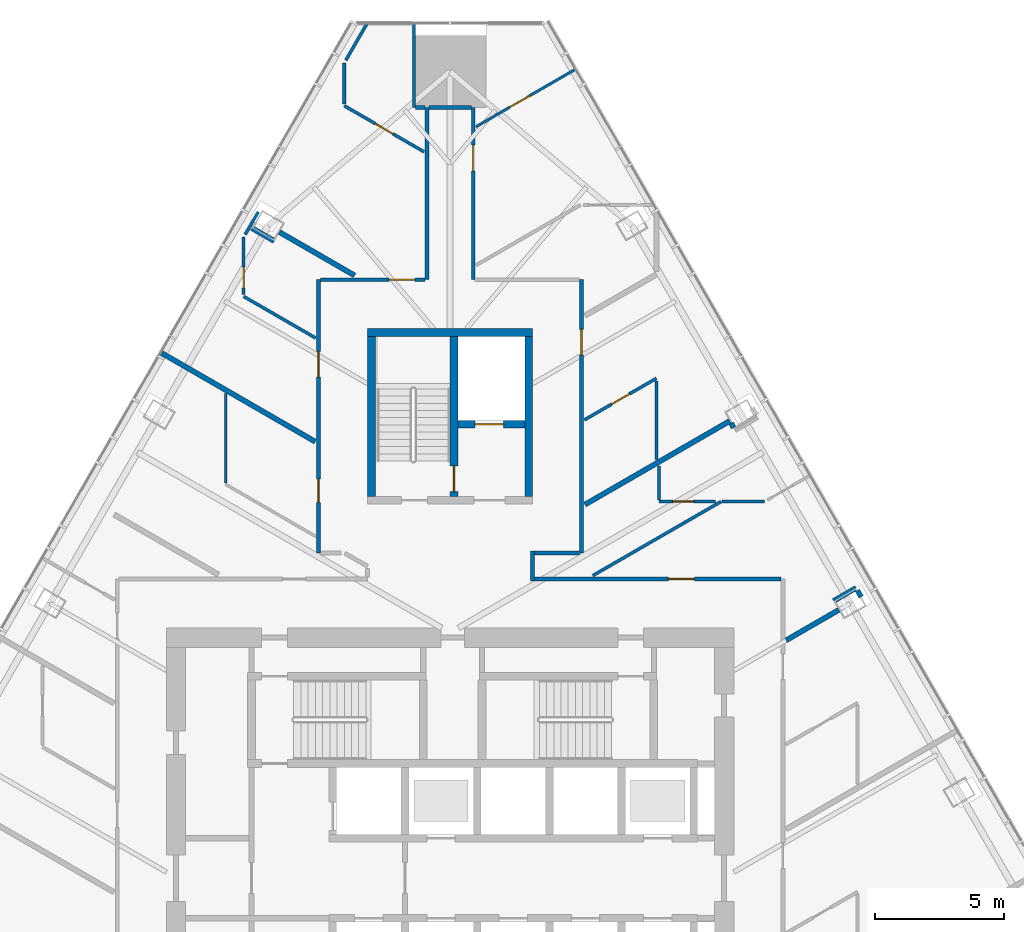
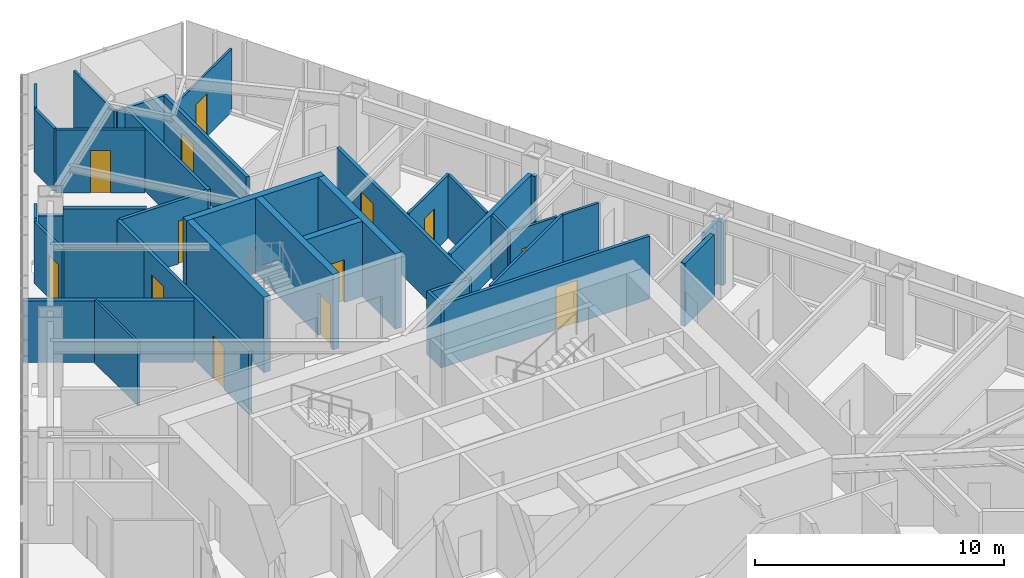
# One storey, part 16 of 19: 38 walls, 13 doors, 13 openings.
"""IFC4 building model written with IfcOpenShell, lengths in metres."""

from ifc_helpers import new_model, si_unit, direction, frame, frame_2d, origin, place, context, subcontext, project, spatial, rectangle, extrude, material, layer, layer_set, type_object, element, fill, save


model = new_model("IFC4")

# Units and contexts
model_context = context("Model", 3, precision=1e-05, world=origin(), true_north=direction((0.0, 1.0)))
body_context = subcontext(model_context, "Body", "Model", "MODEL_VIEW")
ifc_project = project(units=[si_unit("LENGTHUNIT", "METRE"), si_unit("AREAUNIT", "SQUARE_METRE"), si_unit("VOLUMEUNIT", "CUBIC_METRE"), si_unit("PLANEANGLEUNIT", "RADIAN"), si_unit("MASSUNIT", "GRAM", prefix="KILO")], contexts=[model_context])

# Site, building, storey
site_placement = place(None, origin())
site = spatial("IfcSite", under=ifc_project, at=site_placement, CompositionType="ELEMENT")
building_placement = place(site_placement, origin())
building = spatial("IfcBuilding", under=site, at=building_placement, Name="Firuza Gate Tower and Library", CompositionType="ELEMENT")
storey_placement = place(building_placement, frame((0.0, 0.0, 210.39990234375)))
storey = spatial("IfcBuildingStorey", under=building, at=storey_placement, Name="L49", CompositionType="ELEMENT", Elevation=210.39990234375)

# Walls
ifc_material_1 = material(Name="Concrete C80/95", Category="concrete")
ifc_layer_1 = layer(ifc_material_1, 0.300048828125)
ifc_layer_set_1 = layer_set([ifc_layer_1], Name="Core wall 300 C80/95")
wall_type_1 = type_object("IfcWallType", Name="Core wall 300 C80/95", PredefinedType="SHEAR", material=ifc_layer_set_1)
wall_1_placement = place(storey_placement, frame((71.800048828125, 94.449951171875, 0.0), z_axis=(0.0, 0.0, 1.0), x_axis=(1.0, 0.0, 0.0)))
element("IfcWall", 1, at=wall_1_placement, inside=storey, type_object=wall_type_1, Name="Core wall L49 28", PredefinedType="SHEAR", context=body_context, shape_type="SweptSolid", body=[
    extrude(rectangle(XDim=6.39990234375, YDim=0.300048828125, at=frame_2d((3.199951171875, 0.0))), origin(), (0.0, 0.0, 1.0), 3.7001953125),
])
for number, where, z_axis, x_axis, name in (
    (2, (71.949951171875, 88.10009765625, 0.0), (0.0, 0.0, 1.0), (0.0, 1.0, 0.0), "Core wall L49 29"),
    (3, (78.050048828125, 88.10009765625, 0.0), (0.0, 0.0, 1.0), (0.0, 1.0, 0.0), "Core wall L49 30"),
):
    element("IfcWall", number, at=place(storey_placement, frame(where, z_axis=z_axis, x_axis=x_axis)), inside=storey, type_object=wall_type_1, Name=name, PredefinedType="SHEAR", context=body_context, shape_type="SweptSolid", body=[
        extrude(rectangle(XDim=6.199951171875, YDim=0.300048828125, at=frame_2d((3.10009765625, 0.0))), origin(), (0.0, 0.0, 1.0), 3.7001953125),
    ])

# Wall, opening, door
wall_2_placement = place(storey_placement, frame((75.300048828125, 90.89990234375, 0.0), z_axis=(0.0, 0.0, 1.0), x_axis=(1.0, 0.0, 0.0)))
wall_2 = element("IfcWall", 4, at=wall_2_placement, inside=storey, type_object=wall_type_1, Name="Core wall L49 31", PredefinedType="SHEAR", context=body_context, shape_type="SweptSolid", body=[
    extrude(rectangle(XDim=2.599853515625, YDim=0.300048828125, at=frame_2d((1.2998046875, 0.0))), origin(), (0.0, 0.0, 1.0), 3.7001953125),
])
opening_1_placement = place(wall_2_placement, frame((0.675048828125, 0.0, 0.0)))
opening_1 = element("IfcOpeningElement", 5, at=opening_1_placement, cuts=wall_2, Name="Opening LD-SV1-L49", PredefinedType="OPENING", context=body_context, shape_type="SweptSolid", body=[
    extrude(rectangle(XDim=1.10009765625, YDim=2.10009765625, at=frame_2d((0.550048828125, 1.050048828125))), frame((0.0, 0.16015625, 0.0), z_axis=(0.0, -1.0, 0.0), x_axis=(1.0, 0.0, 0.0)), (0.0, 0.0, 1.0), 0.320068359375),
])
ifc_material_2 = material(Name="Stainless steel", Category="steel")
door_type_1 = type_object("IfcDoorType", Name="Lift landing door 1100x2100", OperationType="DOUBLE_DOOR_SLIDING", PredefinedType="DOOR", material=ifc_material_2)
door_1_placement = place(opening_1_placement, origin())
door_1 = element("IfcDoor", 6, at=door_1_placement, inside=storey, type_object=door_type_1, Name="Landing door SV1 L49", OperationType="DOUBLE_DOOR_SLIDING", OverallHeight=2.10009765625, OverallWidth=1.10009765625, PredefinedType="DOOR", context=body_context, shape_type="SweptSolid", body=[
    extrude(rectangle(XDim=1.10009765625, YDim=2.10009765625, at=frame_2d((0.550048828125, 1.050048828125))), frame((0.0, 0.02490234375, 0.0), z_axis=(0.0, -1.0, 0.0), x_axis=(1.0, 0.0, 0.0)), (0.0, 0.0, 1.0), 0.050048828125),
])
fill(opening_1, door_1)

wall_3_placement = place(storey_placement, frame((75.14990234375, 88.10009765625, 0.0), z_axis=(0.0, 0.0, 1.0), x_axis=(0.0, 1.0, 0.0)))
wall_3 = element("IfcWall", 7, at=wall_3_placement, inside=storey, type_object=wall_type_1, Name="Core wall L49 32", PredefinedType="SHEAR", context=body_context, shape_type="SweptSolid", body=[
    extrude(rectangle(XDim=6.199951171875, YDim=0.300048828125, at=frame_2d((3.10009765625, 0.0))), origin(), (0.0, 0.0, 1.0), 3.7001953125),
])
opening_2_placement = place(wall_3_placement, frame((0.18505859375, 0.0, 0.0)))
opening_2 = element("IfcOpeningElement", 8, at=opening_2_placement, cuts=wall_3, Name="Opening L49-K16", PredefinedType="OPENING", context=body_context, shape_type="SweptSolid", body=[
    extrude(rectangle(XDim=1.0, YDim=2.10009765625, at=frame_2d((0.5, 1.050048828125))), frame((0.0, 0.16015625, 0.0), z_axis=(0.0, -1.0, 0.0), x_axis=(1.0, 0.0, 0.0)), (0.0, 0.0, 1.0), 0.320068359375),
])
ifc_material_3 = material(Name="Steel", Category="steel")
door_type_2 = type_object("IfcDoorType", Name="Fire door 1000x2100 FD90", OperationType="NOTDEFINED", PredefinedType="DOOR", material=ifc_material_3)
door_2_placement = place(opening_2_placement, origin())
door_2 = element("IfcDoor", 9, at=door_2_placement, inside=storey, type_object=door_type_2, Name="Door L49-K16", OperationType="SINGLE_SWING_LEFT", OverallHeight=2.10009765625, OverallWidth=1.0, PredefinedType="DOOR", context=body_context, shape_type="SweptSolid", body=[
    extrude(rectangle(XDim=1.0, YDim=2.10009765625, at=frame_2d((0.5, 1.050048828125))), frame((0.0, 0.02490234375, 0.0), z_axis=(0.0, -1.0, 0.0), x_axis=(1.0, 0.0, 0.0)), (0.0, 0.0, 1.0), 0.050048828125),
])
fill(opening_2, door_2)

ifc_material_4 = material(Name="Gypsum board partition")
ifc_layer_2 = layer(ifc_material_4, 0.14990234375)
ifc_layer_set_2 = layer_set([ifc_layer_2], Name="Corridor wall 150 double board on steel studs")
wall_type_2 = type_object("IfcWallType", Name="Corridor wall 150 double board on steel studs", PredefinedType="PARTITIONING", material=ifc_layer_set_2)
wall_4_placement = place(storey_placement, frame((78.27490234375, 84.89990234375, 0.0), z_axis=(0.0, 0.0, 1.0), x_axis=(1.0, 0.0, 0.0)))
wall_4 = element("IfcWall", 10, at=wall_4_placement, inside=storey, type_object=wall_type_2, Name="f:L49:w010", PredefinedType="PARTITIONING", context=body_context, shape_type="SweptSolid", body=[
    extrude(rectangle(XDim=9.550048828125, YDim=0.14990234375, at=frame_2d((4.77490234375, 0.0))), origin(), (0.0, 0.0, 1.0), 3.09716796875),
])
opening_3_placement = place(wall_4_placement, frame((5.190673828125, 0.0, 0.0)))
opening_3 = element("IfcOpeningElement", 11, at=opening_3_placement, cuts=wall_4, Name="Opening L49-12", PredefinedType="OPENING", context=body_context, shape_type="SweptSolid", body=[
    extrude(rectangle(XDim=1.0, YDim=2.10009765625, at=frame_2d((0.5, 1.050048828125))), frame((0.0, 0.0849609375, 0.0), z_axis=(0.0, -1.0, 0.0), x_axis=(1.0, 0.0, 0.0)), (0.0, 0.0, 1.0), 0.169921875),
])
ifc_material_5 = material(Name="Steel door and timber leaf", Category="steel")
door_type_3 = type_object("IfcDoorType", Name="Fire door 1000 x 2100 steel frame, timber leaf", OperationType="NOTDEFINED", PredefinedType="DOOR", material=ifc_material_5)
door_3_placement = place(opening_3_placement, origin())
door_3 = element("IfcDoor", 12, at=door_3_placement, inside=storey, type_object=door_type_3, Name="f:L49:d012", OperationType="SINGLE_SWING_RIGHT", OverallHeight=2.10009765625, OverallWidth=1.0, PredefinedType="DOOR", context=body_context, shape_type="SweptSolid", body=[
    extrude(rectangle(XDim=1.0, YDim=2.10009765625, at=frame_2d((0.5, 1.050048828125))), frame((0.0, 0.02490234375, 0.0), z_axis=(0.0, -1.0, 0.0), x_axis=(1.0, 0.0, 0.0)), (0.0, 0.0, 1.0), 0.050048828125),
])
fill(opening_3, door_3)

# Wall
wall_5_placement = place(storey_placement, frame((78.27490234375, 85.89990234375, 0.0), z_axis=(0.0, 0.0, 1.0), x_axis=(1.0, 0.0, 0.0)))
element("IfcWall", 13, at=wall_5_placement, inside=storey, type_object=wall_type_2, Name="f:L49:w012", PredefinedType="PARTITIONING", context=body_context, shape_type="SweptSolid", body=[
    extrude(rectangle(XDim=1.75, YDim=0.14990234375, at=frame_2d((0.875, 0.0))), origin(), (0.0, 0.0, 1.0), 3.09716796875),
])

# Wall, opening, door
wall_6_placement = place(storey_placement, frame((69.97509765625, 96.5, 0.0), z_axis=(0.0, 0.0, 1.0), x_axis=(1.0, 0.0, 0.0)))
wall_6 = element("IfcWall", 14, at=wall_6_placement, inside=storey, type_object=wall_type_2, Name="f:L49:w014", PredefinedType="PARTITIONING", context=body_context, shape_type="SweptSolid", body=[
    extrude(rectangle(XDim=4.0498046875, YDim=0.14990234375, at=frame_2d((2.02490234375, 0.0))), origin(), (0.0, 0.0, 1.0), 3.10009765625),
])
opening_4_placement = place(wall_6_placement, frame((2.662841796875, 0.0, 0.0)))
opening_4 = element("IfcOpeningElement", 15, at=opening_4_placement, cuts=wall_6, Name="Opening L49-14", PredefinedType="OPENING", context=body_context, shape_type="SweptSolid", body=[
    extrude(rectangle(XDim=1.0, YDim=2.10009765625, at=frame_2d((0.5, 1.050048828125))), frame((0.0, 0.0849609375, 0.0), z_axis=(0.0, -1.0, 0.0), x_axis=(1.0, 0.0, 0.0)), (0.0, 0.0, 1.0), 0.169921875),
])
door_4_placement = place(opening_4_placement, origin())
door_4 = element("IfcDoor", 16, at=door_4_placement, inside=storey, type_object=door_type_3, Name="f:L49:d014", OperationType="SINGLE_SWING_RIGHT", OverallHeight=2.10009765625, OverallWidth=1.0, PredefinedType="DOOR", context=body_context, shape_type="SweptSolid", body=[
    extrude(rectangle(XDim=1.0, YDim=2.10009765625, at=frame_2d((0.5, 1.050048828125))), frame((0.0, 0.02490234375, 0.0), z_axis=(0.0, -1.0, 0.0), x_axis=(1.0, 0.0, 0.0)), (0.0, 0.0, 1.0), 0.050048828125),
])
fill(opening_4, door_4)

# Wall
wall_7_placement = place(storey_placement, frame((73.660400390625, 103.169921875, 0.0), z_axis=(0.0, 0.0, 1.0), x_axis=(1.0, 0.0, 0.0)))
element("IfcWall", 17, at=wall_7_placement, inside=storey, type_object=wall_type_2, Name="f:L49:w017", PredefinedType="PARTITIONING", context=body_context, shape_type="SweptSolid", body=[
    extrude(rectangle(XDim=0.364501953125, YDim=0.14990234375, at=frame_2d((0.18212890625, 0.0))), origin(), (0.0, 0.0, 1.0), 3.10009765625),
])

# Wall, opening, door
wall_8_placement = place(storey_placement, frame((80.10009765625, 96.49951171875, 0.0), z_axis=(0.0, 0.0, 1.0), x_axis=(0.0, -1.0, 0.0)))
wall_8 = element("IfcWall", 18, at=wall_8_placement, inside=storey, type_object=wall_type_2, Name="f:L49:w063", PredefinedType="PARTITIONING", context=body_context, shape_type="SweptSolid", body=[
    extrude(rectangle(XDim=10.599609375, YDim=0.14990234375, at=frame_2d((5.2998046875, 0.0))), origin(), (0.0, 0.0, 1.0), 3.09716796875),
])
opening_5_placement = place(wall_8_placement, frame((1.920166015625, 0.0, 0.0)))
opening_5 = element("IfcOpeningElement", 19, at=opening_5_placement, cuts=wall_8, Name="Opening L49-32", PredefinedType="OPENING", context=body_context, shape_type="SweptSolid", body=[
    extrude(rectangle(XDim=1.0, YDim=2.10009765625, at=frame_2d((0.5, 1.050048828125))), frame((0.0, 0.0849609375, 0.0), z_axis=(0.0, -1.0, 0.0), x_axis=(1.0, 0.0, 0.0)), (0.0, 0.0, 1.0), 0.169921875),
])
door_5_placement = place(opening_5_placement, origin())
door_5 = element("IfcDoor", 20, at=door_5_placement, inside=storey, type_object=door_type_3, Name="f:L49:d032", OperationType="SINGLE_SWING_RIGHT", OverallHeight=2.10009765625, OverallWidth=1.0, PredefinedType="DOOR", context=body_context, shape_type="SweptSolid", body=[
    extrude(rectangle(XDim=1.0, YDim=2.10009765625, at=frame_2d((0.5, 1.050048828125))), frame((0.0, 0.02490234375, 0.0), z_axis=(0.0, -1.0, 0.0), x_axis=(1.0, 0.0, 0.0)), (0.0, 0.0, 1.0), 0.050048828125),
])
fill(opening_5, door_5)

# Wall
wall_9_placement = place(storey_placement, frame((78.199951171875, 84.824951171875, 0.0), z_axis=(0.0, 0.0, 1.0), x_axis=(0.0, 1.0, 0.0)))
element("IfcWall", 21, at=wall_9_placement, inside=storey, type_object=wall_type_2, Name="f:L49:w065", PredefinedType="PARTITIONING", context=body_context, shape_type="SweptSolid", body=[
    extrude(rectangle(XDim=1.150146484375, YDim=0.14990234375, at=frame_2d((0.5751953125, 0.0))), origin(), (0.0, 0.0, 1.0), 3.10009765625),
])

# Wall, opening, door
wall_10_placement = place(storey_placement, frame((75.89990234375, 103.169189453125, 0.0), z_axis=(0.0, 0.0, 1.0), x_axis=(0.0, -1.0, 0.0)))
wall_10 = element("IfcWall", 22, at=wall_10_placement, inside=storey, type_object=wall_type_2, Name="f:L49:w067", PredefinedType="PARTITIONING", context=body_context, shape_type="SweptSolid", body=[
    extrude(rectangle(XDim=6.669189453125, YDim=0.14990234375, at=frame_2d((3.33447265625, 0.0))), origin(), (0.0, 0.0, 1.0), 3.10009765625),
])
opening_6_placement = place(wall_10_placement, frame((1.452392578125, 0.0, 0.0)))
opening_6 = element("IfcOpeningElement", 23, at=opening_6_placement, cuts=wall_10, Name="Opening L49-33", PredefinedType="OPENING", context=body_context, shape_type="SweptSolid", body=[
    extrude(rectangle(XDim=1.0, YDim=2.10009765625, at=frame_2d((0.5, 1.050048828125))), frame((0.0, 0.0849609375, 0.0), z_axis=(0.0, -1.0, 0.0), x_axis=(1.0, 0.0, 0.0)), (0.0, 0.0, 1.0), 0.169921875),
])
door_6_placement = place(opening_6_placement, origin())
door_6 = element("IfcDoor", 24, at=door_6_placement, inside=storey, type_object=door_type_3, Name="f:L49:d033", OperationType="SINGLE_SWING_RIGHT", OverallHeight=2.10009765625, OverallWidth=1.0, PredefinedType="DOOR", context=body_context, shape_type="SweptSolid", body=[
    extrude(rectangle(XDim=1.0, YDim=2.10009765625, at=frame_2d((0.5, 1.050048828125))), frame((0.0, 0.02490234375, 0.0), z_axis=(0.0, -1.0, 0.0), x_axis=(1.0, 0.0, 0.0)), (0.0, 0.0, 1.0), 0.050048828125),
])
fill(opening_6, door_6)

# Wall
wall_11_placement = place(storey_placement, frame((74.10009765625, 96.5, 0.0), z_axis=(0.0, 0.0, 1.0), x_axis=(0.0, 1.0, 0.0)))
element("IfcWall", 25, at=wall_11_placement, inside=storey, type_object=wall_type_2, Name="f:L49:w070", PredefinedType="PARTITIONING", context=body_context, shape_type="SweptSolid", body=[
    extrude(rectangle(XDim=6.669677734375, YDim=0.14990234375, at=frame_2d((3.3349609375, 0.0))), origin(), (0.0, 0.0, 1.0), 3.10009765625),
])

# Wall, openings, doors
wall_12_placement = place(storey_placement, frame((69.89990234375, 85.900390625, 0.0), z_axis=(0.0, 0.0, 1.0), x_axis=(0.0, 1.0, 0.0)))
wall_12 = element("IfcWall", 26, at=wall_12_placement, inside=storey, type_object=wall_type_2, Name="f:L49:w075", PredefinedType="PARTITIONING", context=body_context, shape_type="SweptSolid", body=[
    extrude(rectangle(XDim=10.599609375, YDim=0.14990234375, at=frame_2d((5.2998046875, 0.0))), origin(), (0.0, 0.0, 1.0), 3.09716796875),
])
opening_7_placement = place(wall_12_placement, frame((1.96826171875, 0.0, 0.0)))
opening_7 = element("IfcOpeningElement", 27, at=opening_7_placement, cuts=wall_12, Name="Opening L49-34", PredefinedType="OPENING", context=body_context, shape_type="SweptSolid", body=[
    extrude(rectangle(XDim=0.89990234375, YDim=2.10009765625, at=frame_2d((0.449951171875, 1.050048828125))), frame((0.0, 0.0849609375, 0.0), z_axis=(0.0, -1.0, 0.0), x_axis=(1.0, 0.0, 0.0)), (0.0, 0.0, 1.0), 0.169921875),
])
opening_8_placement = place(wall_12_placement, frame((6.82470703125, 0.0, 0.0)))
opening_8 = element("IfcOpeningElement", 28, at=opening_8_placement, cuts=wall_12, Name="Opening L49-35", PredefinedType="OPENING", context=body_context, shape_type="SweptSolid", body=[
    extrude(rectangle(XDim=1.0, YDim=2.10009765625, at=frame_2d((0.5, 1.050048828125))), frame((0.0, 0.0849609375, 0.0), z_axis=(0.0, -1.0, 0.0), x_axis=(1.0, 0.0, 0.0)), (0.0, 0.0, 1.0), 0.169921875),
])
door_7_placement = place(opening_8_placement, origin())
door_7 = element("IfcDoor", 29, at=door_7_placement, inside=storey, type_object=door_type_3, Name="f:L49:d035", OperationType="SINGLE_SWING_RIGHT", OverallHeight=2.10009765625, OverallWidth=1.0, PredefinedType="DOOR", context=body_context, shape_type="SweptSolid", body=[
    extrude(rectangle(XDim=1.0, YDim=2.10009765625, at=frame_2d((0.5, 1.050048828125))), frame((0.0, 0.02490234375, 0.0), z_axis=(0.0, -1.0, 0.0), x_axis=(1.0, 0.0, 0.0)), (0.0, 0.0, 1.0), 0.050048828125),
])
fill(opening_8, door_7)
ifc_material_6 = material(Name="Steel door and timber leaf", Category="steel")
door_type_4 = type_object("IfcDoorType", Name="Fire door 900 x 2100 steel frame, timber leaf", OperationType="NOTDEFINED", PredefinedType="DOOR", material=ifc_material_6)
door_8_placement = place(opening_7_placement, origin())
door_8 = element("IfcDoor", 30, at=door_8_placement, inside=storey, type_object=door_type_4, Name="f:L49:d034", OperationType="SINGLE_SWING_RIGHT", OverallHeight=2.10009765625, OverallWidth=0.89990234375, PredefinedType="DOOR", context=body_context, shape_type="SweptSolid", body=[
    extrude(rectangle(XDim=0.89990234375, YDim=2.10009765625, at=frame_2d((0.449951171875, 1.050048828125))), frame((0.0, 0.02490234375, 0.0), z_axis=(0.0, -1.0, 0.0), x_axis=(1.0, 0.0, 0.0)), (0.0, 0.0, 1.0), 0.050048828125),
])
fill(opening_7, door_8)

# Walls
wall_13_placement = place(storey_placement, frame((74.175048828125, 103.169921875, 0.0), z_axis=(0.0, 0.0, 1.0), x_axis=(1.0, 0.0, 0.0)))
element("IfcWall", 31, at=wall_13_placement, inside=storey, type_object=wall_type_2, Name="f:L49:w120", PredefinedType="PARTITIONING", context=body_context, shape_type="SweptSolid", body=[
    extrude(rectangle(XDim=1.6494140625, YDim=0.14990234375, at=frame_2d((0.82470703125, 0.0))), origin(), (0.0, 0.0, 1.0), 3.09716796875),
])
ifc_material_7 = material(Name="Gypsum board partition")
ifc_layer_3 = layer(ifc_material_7, 0.199951171875)
ifc_layer_set_3 = layer_set([ifc_layer_3], Name="Demising wall 200 acoustic double stud")
wall_type_3 = type_object("IfcWallType", Name="Demising wall 200 acoustic double stud", PredefinedType="PARTITIONING", material=ifc_layer_set_3)
wall_14_placement = place(storey_placement, frame((88.02685546875, 82.521240234375, 0.0), z_axis=(0.0, 0.0, 1.0), x_axis=(0.866032292145, 0.49998806882, 0.0)))
element("IfcWall", 32, at=wall_14_placement, inside=storey, type_object=wall_type_3, Name="f:L49:w030", PredefinedType="PARTITIONING", context=body_context, shape_type="SweptSolid", body=[
    extrude(rectangle(XDim=2.3603515625, YDim=0.199951171875, at=frame_2d((1.18017578125, 0.0))), origin(), (0.0, 0.0, 1.0), 3.10009765625),
])
wall_15_placement = place(storey_placement, frame((89.87109375, 84.0478515625, 0.0), z_axis=(0.0, 0.0, 1.0), x_axis=(0.866010750942, 0.50002537861, 0.0)))
element("IfcWall", 33, at=wall_15_placement, inside=storey, type_object=wall_type_3, Name="f:L49:w031", PredefinedType="PARTITIONING", context=body_context, shape_type="SweptSolid", body=[
    extrude(rectangle(XDim=1.0, YDim=0.199951171875, at=frame_2d((0.5, 0.0))), origin(), (0.0, 0.0, 1.0), 3.022216796875),
])
wall_16_placement = place(storey_placement, frame((80.226806640625, 87.781982421875, 0.0), z_axis=(0.0, 0.0, 1.0), x_axis=(0.866028841934, 0.499994044904, 0.0)))
element("IfcWall", 34, at=wall_16_placement, inside=storey, type_object=wall_type_3, Name="f:L49:w038", PredefinedType="PARTITIONING", context=body_context, shape_type="SweptSolid", body=[
    extrude(rectangle(XDim=6.484375, YDim=0.199951171875, at=frame_2d((3.2421875, 0.0))), origin(), (0.0, 0.0, 1.0), 3.10009765625),
])
wall_17_placement = place(storey_placement, frame((90.936767578125, 84.200927734375, 0.0), z_axis=(0.0, 0.0, 1.0), x_axis=(-0.500074377092, 0.865982457891, 0.0)))
element("IfcWall", 35, at=wall_17_placement, inside=storey, type_object=wall_type_3, Name="f:L49:w088", PredefinedType="PARTITIONING", context=body_context, shape_type="SweptSolid", body=[
    extrude(rectangle(XDim=0.30029296875, YDim=0.199951171875, at=frame_2d((0.150146484375, 0.0))), origin(), (0.0, 0.0, 1.0), 3.10009765625),
])
wall_18_placement = place(storey_placement, frame((85.99267578125, 90.764404296875, 0.0), z_axis=(0.0, 0.0, 1.0), x_axis=(-0.500359323436, 0.865817848887, 0.0)))
element("IfcWall", 36, at=wall_18_placement, inside=storey, type_object=wall_type_3, Name="f:L49:w091", PredefinedType="PARTITIONING", context=body_context, shape_type="SweptSolid", body=[
    extrude(rectangle(XDim=0.198974609375, YDim=0.199951171875, at=frame_2d((0.099609375, 0.0))), origin(), (0.0, 0.0, 1.0), 3.10009765625),
])
wall_19_placement = place(storey_placement, frame((71.297607421875, 96.664794921875, 0.0), z_axis=(0.0, 0.0, 1.0), x_axis=(-0.866023625329, 0.500003080363, 0.0)))
element("IfcWall", 37, at=wall_19_placement, inside=storey, type_object=wall_type_3, Name="f:L49:w095", PredefinedType="PARTITIONING", context=body_context, shape_type="SweptSolid", body=[
    extrude(rectangle(XDim=3.36376953125, YDim=0.199951171875, at=frame_2d((1.681884765625, 0.0))), origin(), (0.0, 0.0, 1.0), 3.10009765625),
])
wall_20_placement = place(storey_placement, frame((68.1845703125, 98.000244140625, 0.0), z_axis=(0.0, 0.0, 1.0), x_axis=(-0.866071776036, 0.499919672301, 0.0)))
element("IfcWall", 38, at=wall_20_placement, inside=storey, type_object=wall_type_3, Name="f:L49:w096", PredefinedType="PARTITIONING", context=body_context, shape_type="SweptSolid", body=[
    extrude(rectangle(XDim=1.000244140625, YDim=0.199951171875, at=frame_2d((0.5, 0.0))), origin(), (0.0, 0.0, 1.0), 3.022216796875),
])
wall_21_placement = place(storey_placement, frame((69.772705078125, 90.22216796875, 0.0), z_axis=(0.0, 0.0, 1.0), x_axis=(-0.866032781393, 0.499987221389, 0.0)))
element("IfcWall", 39, at=wall_21_placement, inside=storey, type_object=wall_type_3, Name="f:L49:w098", PredefinedType="PARTITIONING", context=body_context, shape_type="SweptSolid", body=[
    extrude(rectangle(XDim=6.864501953125, YDim=0.199951171875, at=frame_2d((3.43212890625, 0.0))), origin(), (0.0, 0.0, 1.0), 3.022216796875),
])

# Wall, opening, door
ifc_material_8 = material(Name="Gypsum board partition")
ifc_layer_4 = layer(ifc_material_8, 0.10009765625)
ifc_layer_set_4 = layer_set([ifc_layer_4], Name="Partition 100 gypsum board on steel studs")
wall_type_4 = type_object("IfcWallType", Name="Partition 100 gypsum board on steel studs", PredefinedType="PARTITIONING", material=ifc_layer_set_4)
wall_22_placement = place(storey_placement, frame((79.830078125, 104.63916015625, 0.0), z_axis=(0.0, 0.0, 1.0), x_axis=(-0.866005358171, -0.500034718414, 0.0)))
wall_22 = element("IfcWall", 40, at=wall_22_placement, inside=storey, type_object=wall_type_4, Name="f:L49:w042", PredefinedType="PARTITIONING", context=body_context, shape_type="SweptSolid", body=[
    extrude(rectangle(XDim=4.421630859375, YDim=0.10009765625, at=frame_2d((2.2109375, 0.0))), origin(), (0.0, 0.0, 1.0), 3.10009765625),
])
opening_9_placement = place(wall_22_placement, frame((2.0107421875, 0.0, 0.0)))
opening_9 = element("IfcOpeningElement", 41, at=opening_9_placement, cuts=wall_22, Name="Opening L49-29", PredefinedType="OPENING", context=body_context, shape_type="SweptSolid", body=[
    extrude(rectangle(XDim=0.89990234375, YDim=2.10009765625, at=frame_2d((0.449951171875, 1.050048828125))), frame((0.0, 0.06005859375, 0.0), z_axis=(0.0, -1.0, 0.0), x_axis=(1.0, 0.0, 0.0)), (0.0, 0.0, 1.0), 0.1201171875),
])
ifc_material_9 = material(Name="Timber door", Category="wood")
door_type_5 = type_object("IfcDoorType", Name="Door 900 x 2100 timber leaf", OperationType="NOTDEFINED", PredefinedType="DOOR", material=ifc_material_9)
door_9_placement = place(opening_9_placement, origin())
door_9 = element("IfcDoor", 42, at=door_9_placement, inside=storey, type_object=door_type_5, Name="f:L49:d029", OperationType="SINGLE_SWING_RIGHT", OverallHeight=2.10009765625, OverallWidth=0.89990234375, PredefinedType="DOOR", context=body_context, shape_type="SweptSolid", body=[
    extrude(rectangle(XDim=0.89990234375, YDim=2.10009765625, at=frame_2d((0.449951171875, 1.050048828125))), frame((0.0, 0.02490234375, 0.0), z_axis=(0.0, -1.0, 0.0), x_axis=(1.0, 0.0, 0.0)), (0.0, 0.0, 1.0), 0.050048828125),
])
fill(opening_9, door_9)

# Wall
wall_23_placement = place(storey_placement, frame((66.300048828125, 88.624267578125, 0.0), z_axis=(0.0, 0.0, 1.0), x_axis=(0.0, 1.0, 0.0)))
element("IfcWall", 43, at=wall_23_placement, inside=storey, type_object=wall_type_4, Name="f:L49:w078", PredefinedType="PARTITIONING", context=body_context, shape_type="SweptSolid", body=[
    extrude(rectangle(XDim=3.45751953125, YDim=0.10009765625, at=frame_2d((1.728759765625, 0.0))), origin(), (0.0, 0.0, 1.0), 3.10009765625),
])

# Wall, opening, door
ifc_material_10 = material(Name="Gypsum board partition")
ifc_layer_5 = layer(ifc_material_10, 0.1201171875)
ifc_layer_set_5 = layer_set([ifc_layer_5], Name="Wet-area partition 120 moisture-resistant board")
wall_type_5 = type_object("IfcWallType", Name="Wet-area partition 120 moisture-resistant board", PredefinedType="PARTITIONING", material=ifc_layer_set_5)
wall_24_placement = place(storey_placement, frame((85.28125, 87.89990234375, 0.0), z_axis=(0.0, 0.0, 1.0), x_axis=(-1.0, 0.0, 0.0)))
wall_24 = element("IfcWall", 44, at=wall_24_placement, inside=storey, type_object=wall_type_5, Name="f:L49:w013", PredefinedType="PARTITIONING", context=body_context, shape_type="SweptSolid", body=[
    extrude(rectangle(XDim=2.18115234375, YDim=0.1201171875, at=frame_2d((1.090576171875, 0.0))), origin(), (0.0, 0.0, 1.0), 3.09716796875),
])
opening_10_placement = place(wall_24_placement, frame((0.840576171875, 0.0, 0.0)))
opening_10 = element("IfcOpeningElement", 45, at=opening_10_placement, cuts=wall_24, Name="Opening L49-13", PredefinedType="OPENING", context=body_context, shape_type="SweptSolid", body=[
    extrude(rectangle(XDim=0.800048828125, YDim=2.10009765625, at=frame_2d((0.39990234375, 1.050048828125))), frame((0.0, 0.070068359375, 0.0), z_axis=(0.0, -1.0, 0.0), x_axis=(1.0, 0.0, 0.0)), (0.0, 0.0, 1.0), 0.14013671875),
])
ifc_material_11 = material(Name="Timber door", Category="wood")
door_type_6 = type_object("IfcDoorType", Name="Door 800 x 2100 timber leaf", OperationType="NOTDEFINED", PredefinedType="DOOR", material=ifc_material_11)
door_10_placement = place(opening_10_placement, origin())
door_10 = element("IfcDoor", 46, at=door_10_placement, inside=storey, type_object=door_type_6, Name="f:L49:d013", OperationType="SINGLE_SWING_LEFT", OverallHeight=2.10009765625, OverallWidth=0.800048828125, PredefinedType="DOOR", context=body_context, shape_type="SweptSolid", body=[
    extrude(rectangle(XDim=0.800048828125, YDim=2.10009765625, at=frame_2d((0.39990234375, 1.050048828125))), frame((0.0, 0.02490234375, 0.0), z_axis=(0.0, -1.0, 0.0), x_axis=(1.0, 0.0, 0.0)), (0.0, 0.0, 1.0), 0.050048828125),
])
fill(opening_10, door_10)

# Wall
wall_25_placement = place(storey_placement, frame((80.534423828125, 85.030029296875, 0.0), z_axis=(0.0, 0.0, 1.0), x_axis=(0.866014884179, 0.500018220049, 0.0)))
element("IfcWall", 47, at=wall_25_placement, inside=storey, type_object=wall_type_5, Name="f:L49:w036", PredefinedType="PARTITIONING", context=body_context, shape_type="SweptSolid", body=[
    extrude(rectangle(XDim=5.739990234375, YDim=0.1201171875, at=frame_2d((2.8701171875, 0.0))), origin(), (0.0, 0.0, 1.0), 3.10009765625),
])

# Wall, opening, door
wall_26_placement = place(storey_placement, frame((83.000244140625, 92.677490234375, 0.0), z_axis=(0.0, 0.0, 1.0), x_axis=(-0.866029130051, -0.499993545862, 0.0)))
wall_26 = element("IfcWall", 48, at=wall_26_placement, inside=storey, type_object=wall_type_5, Name="f:L49:w039", PredefinedType="PARTITIONING", context=body_context, shape_type="SweptSolid", body=[
    extrude(rectangle(XDim=3.22216796875, YDim=0.1201171875, at=frame_2d((1.611083984375, 0.0))), origin(), (0.0, 0.0, 1.0), 3.10009765625),
])
opening_11_placement = place(wall_26_placement, frame((1.2109375, 0.0, 0.0)))
opening_11 = element("IfcOpeningElement", 49, at=opening_11_placement, cuts=wall_26, Name="Opening L49-28", PredefinedType="OPENING", context=body_context, shape_type="SweptSolid", body=[
    extrude(rectangle(XDim=0.800048828125, YDim=2.10009765625, at=frame_2d((0.39990234375, 1.050048828125))), frame((0.0, 0.070068359375, 0.0), z_axis=(0.0, -1.0, 0.0), x_axis=(1.0, 0.0, 0.0)), (0.0, 0.0, 1.0), 0.14013671875),
])
door_11_placement = place(opening_11_placement, origin())
door_11 = element("IfcDoor", 50, at=door_11_placement, inside=storey, type_object=door_type_6, Name="f:L49:d028", OperationType="SINGLE_SWING_LEFT", OverallHeight=2.10009765625, OverallWidth=0.800048828125, PredefinedType="DOOR", context=body_context, shape_type="SweptSolid", body=[
    extrude(rectangle(XDim=0.800048828125, YDim=2.10009765625, at=frame_2d((0.39990234375, 1.050048828125))), frame((0.0, 0.02490234375, 0.0), z_axis=(0.0, -1.0, 0.0), x_axis=(1.0, 0.0, 0.0)), (0.0, 0.0, 1.0), 0.050048828125),
])
fill(opening_11, door_11)

# Walls
wall_27_placement = place(storey_placement, frame((67.059814453125, 98.2529296875, 0.0), z_axis=(0.0, 0.0, 1.0), x_axis=(0.499972622635, 0.866041209536, 0.0)))
element("IfcWall", 51, at=wall_27_placement, inside=storey, type_object=wall_type_5, Name="f:L49:w047", PredefinedType="PARTITIONING", context=body_context, shape_type="SweptSolid", body=[
    extrude(rectangle(XDim=1.013671875, YDim=0.1201171875, at=frame_2d((0.5068359375, 0.0))), origin(), (0.0, 0.0, 1.0), 3.10009765625),
])
wall_28_placement = place(storey_placement, frame((70.959716796875, 105.0078125, 0.0), z_axis=(0.0, 0.0, 1.0), x_axis=(0.500057100911, 0.865992434048, 0.0)))
element("IfcWall", 52, at=wall_28_placement, inside=storey, type_object=wall_type_5, Name="f:L49:w048", PredefinedType="PARTITIONING", context=body_context, shape_type="SweptSolid", body=[
    extrude(rectangle(XDim=1.641845703125, YDim=0.1201171875, at=frame_2d((0.82080078125, 0.0))), origin(), (0.0, 0.0, 1.0), 3.10009765625),
])
wall_29_placement = place(storey_placement, frame((83.10009765625, 87.9599609375, 0.0), z_axis=(0.0, 0.0, 1.0), x_axis=(0.0, 1.0, 0.0)))
element("IfcWall", 53, at=wall_29_placement, inside=storey, type_object=wall_type_5, Name="f:L49:w059", PredefinedType="PARTITIONING", context=body_context, shape_type="SweptSolid", body=[
    extrude(rectangle(XDim=1.324951171875, YDim=0.1201171875, at=frame_2d((0.66259765625, 0.0))), origin(), (0.0, 0.0, 1.0), 3.10009765625),
])
wall_30_placement = place(storey_placement, frame((83.0, 89.5380859375, 0.0), z_axis=(0.0, 0.0, 1.0), x_axis=(0.0, 1.0, 0.0)))
element("IfcWall", 54, at=wall_30_placement, inside=storey, type_object=wall_type_5, Name="f:L49:w060", PredefinedType="PARTITIONING", context=body_context, shape_type="SweptSolid", body=[
    extrude(rectangle(XDim=3.030517578125, YDim=0.1201171875, at=frame_2d((1.51513671875, 0.0))), origin(), (0.0, 0.0, 1.0), 3.10009765625),
])
wall_31_placement = place(storey_placement, frame((73.60009765625, 103.170166015625, 0.0), z_axis=(0.0, 0.0, 1.0), x_axis=(0.0, 1.0, 0.0)))
element("IfcWall", 55, at=wall_31_placement, inside=storey, type_object=wall_type_5, Name="f:L49:w071", PredefinedType="PARTITIONING", context=body_context, shape_type="SweptSolid", body=[
    extrude(rectangle(XDim=3.259521484375, YDim=0.1201171875, at=frame_2d((1.6298828125, 0.0))), origin(), (0.0, 0.0, 1.0), 3.10009765625),
])
wall_32_placement = place(storey_placement, frame((70.89990234375, 103.312255859375, 0.0), z_axis=(0.0, 0.0, 1.0), x_axis=(0.0, 1.0, 0.0)))
element("IfcWall", 56, at=wall_32_placement, inside=storey, type_object=wall_type_5, Name="f:L49:w074", PredefinedType="PARTITIONING", context=body_context, shape_type="SweptSolid", body=[
    extrude(rectangle(XDim=1.591552734375, YDim=0.1201171875, at=frame_2d((0.7958984375, 0.0))), origin(), (0.0, 0.0, 1.0), 3.10009765625),
])

# Wall, opening, door
wall_33_placement = place(storey_placement, frame((67.0, 98.148681640625, 0.0), z_axis=(0.0, 0.0, 1.0), x_axis=(0.0, -1.0, 0.0)))
wall_33 = element("IfcWall", 57, at=wall_33_placement, inside=storey, type_object=wall_type_5, Name="f:L49:w077", PredefinedType="PARTITIONING", context=body_context, shape_type="SweptSolid", body=[
    extrude(rectangle(XDim=2.228271484375, YDim=0.1201171875, at=frame_2d((1.1142578125, 0.0))), origin(), (0.0, 0.0, 1.0), 3.022216796875),
])
opening_12_placement = place(wall_33_placement, frame((1.164306640625, 0.0, 0.0)))
opening_12 = element("IfcOpeningElement", 58, at=opening_12_placement, cuts=wall_33, Name="Opening L49-36", PredefinedType="OPENING", context=body_context, shape_type="SweptSolid", body=[
    extrude(rectangle(XDim=0.800048828125, YDim=2.10009765625, at=frame_2d((0.39990234375, 1.050048828125))), frame((0.0, 0.070068359375, 0.0), z_axis=(0.0, -1.0, 0.0), x_axis=(1.0, 0.0, 0.0)), (0.0, 0.0, 1.0), 0.14013671875),
])
door_12_placement = place(opening_12_placement, origin())
door_12 = element("IfcDoor", 59, at=door_12_placement, inside=storey, type_object=door_type_6, Name="f:L49:d036", OperationType="SINGLE_SWING_RIGHT", OverallHeight=2.10009765625, OverallWidth=0.800048828125, PredefinedType="DOOR", context=body_context, shape_type="SweptSolid", body=[
    extrude(rectangle(XDim=0.800048828125, YDim=2.10009765625, at=frame_2d((0.39990234375, 1.050048828125))), frame((0.0, 0.02490234375, 0.0), z_axis=(0.0, -1.0, 0.0), x_axis=(1.0, 0.0, 0.0)), (0.0, 0.0, 1.0), 0.050048828125),
])
fill(opening_12, door_12)

wall_34_placement = place(storey_placement, frame((70.900146484375, 103.242919921875, 0.0), z_axis=(0.0, 0.0, 1.0), x_axis=(0.866028357664, -0.499994883695, 0.0)))
wall_34 = element("IfcWall", 60, at=wall_34_placement, inside=storey, type_object=wall_type_5, Name="f:L49:w094", PredefinedType="PARTITIONING", context=body_context, shape_type="SweptSolid", body=[
    extrude(rectangle(XDim=3.568359375, YDim=0.1201171875, at=frame_2d((1.7841796875, 0.0))), origin(), (0.0, 0.0, 1.0), 3.10009765625),
])
opening_13_placement = place(wall_34_placement, frame((1.38427734375, 0.0, 0.0)))
opening_13 = element("IfcOpeningElement", 61, at=opening_13_placement, cuts=wall_34, Name="Opening L49-41", PredefinedType="OPENING", context=body_context, shape_type="SweptSolid", body=[
    extrude(rectangle(XDim=0.800048828125, YDim=2.10009765625, at=frame_2d((0.39990234375, 1.050048828125))), frame((0.0, 0.070068359375, 0.0), z_axis=(0.0, -1.0, 0.0), x_axis=(1.0, 0.0, 0.0)), (0.0, 0.0, 1.0), 0.14013671875),
])
door_13_placement = place(opening_13_placement, origin())
door_13 = element("IfcDoor", 62, at=door_13_placement, inside=storey, type_object=door_type_6, Name="f:L49:d041", OperationType="SINGLE_SWING_RIGHT", OverallHeight=2.10009765625, OverallWidth=0.800048828125, PredefinedType="DOOR", context=body_context, shape_type="SweptSolid", body=[
    extrude(rectangle(XDim=0.800048828125, YDim=2.10009765625, at=frame_2d((0.39990234375, 1.050048828125))), frame((0.0, 0.02490234375, 0.0), z_axis=(0.0, -1.0, 0.0), x_axis=(1.0, 0.0, 0.0)), (0.0, 0.0, 1.0), 0.050048828125),
])
fill(opening_13, door_13)

# Walls
wall_35_placement = place(storey_placement, frame((69.7900390625, 94.23974609375, 0.0), z_axis=(0.0, 0.0, 1.0), x_axis=(-0.86604299788, 0.499969524894, 0.0)))
element("IfcWall", 63, at=wall_35_placement, inside=storey, type_object=wall_type_5, Name="f:L49:w097", PredefinedType="PARTITIONING", context=body_context, shape_type="SweptSolid", body=[
    extrude(rectangle(XDim=3.221923828125, YDim=0.1201171875, at=frame_2d((1.61083984375, 0.0))), origin(), (0.0, 0.0, 1.0), 3.10009765625),
])
wall_36_placement = place(storey_placement, frame((85.535400390625, 87.89990234375, 0.0), z_axis=(0.0, 0.0, 1.0), x_axis=(1.0, 0.0, 0.0)))
element("IfcWall", 64, at=wall_36_placement, inside=storey, type_object=wall_type_5, Name="f:L49:w119", PredefinedType="PARTITIONING", context=body_context, shape_type="SweptSolid", body=[
    extrude(rectangle(XDim=1.661376953125, YDim=0.1201171875, at=frame_2d((0.83056640625, 0.0))), origin(), (0.0, 0.0, 1.0), 3.10009765625),
])

save(model, "model.ifc")
